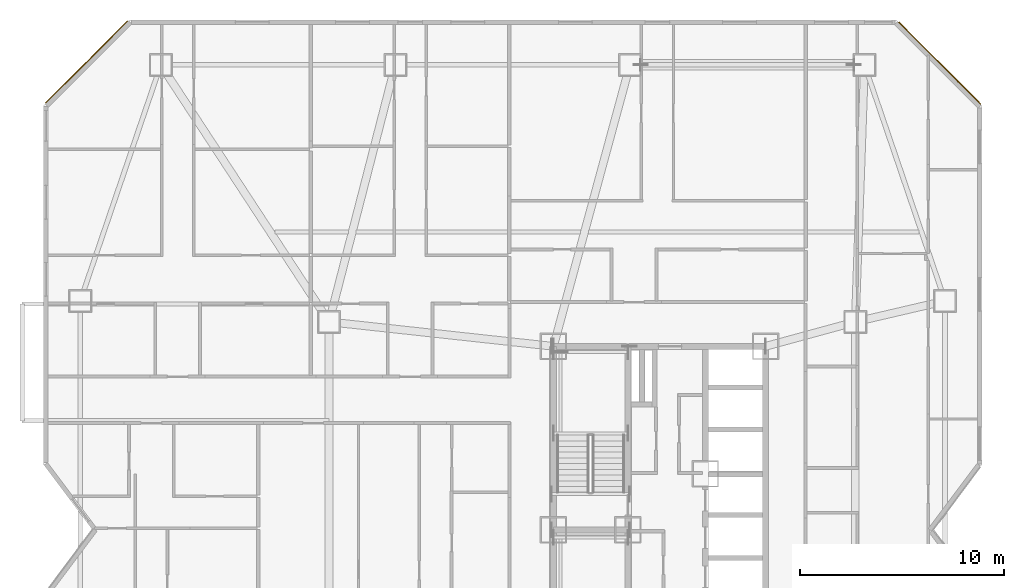
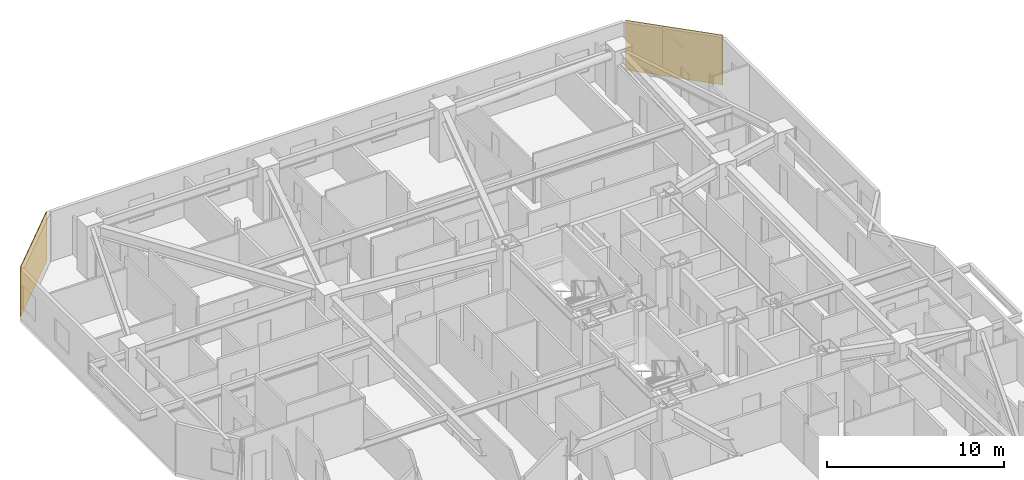
# One storey, part 17 of 17: 2 coverings.
"""IFC4 building model written with IfcOpenShell, lengths in metres."""

from ifc_helpers import new_model, si_unit, direction, frame, origin, origin_2d, place, context, subcontext, project, spatial, rectangle, extrude, material, layer, layer_set, type_object, element, save


model = new_model("IFC4")

# Units and contexts
model_context = context("Model", 3, precision=1e-05, world=origin(), true_north=direction((0.0, 1.0)))
body_context = subcontext(model_context, "Body", "Model", "MODEL_VIEW")
ifc_project = project(units=[si_unit("LENGTHUNIT", "METRE"), si_unit("AREAUNIT", "SQUARE_METRE"), si_unit("VOLUMEUNIT", "CUBIC_METRE"), si_unit("PLANEANGLEUNIT", "RADIAN"), si_unit("MASSUNIT", "GRAM", prefix="KILO")], contexts=[model_context])

# Site, building, storey
site_placement = place(None, origin())
site = spatial("IfcSite", under=ifc_project, at=site_placement, CompositionType="ELEMENT")
building_placement = place(site_placement, origin())
building = spatial("IfcBuilding", under=site, at=building_placement, Name="Khamvora Tower", CompositionType="ELEMENT")
storey_placement = place(building_placement, frame((0.0, 0.0, 73.449951171875)))
storey = spatial("IfcBuildingStorey", under=building, at=storey_placement, Name="L18", CompositionType="ELEMENT", Elevation=73.449951171875)

# Coverings
ifc_material = material(Name="Pale Anodised Aluminium Rainscreen Panel", Category="aluminium")
ifc_layer = layer(ifc_material, 0.044921875)
ifc_layer_set = layer_set([ifc_layer], Name="Pale Anodised Aluminium Rainscreen Panel")
covering_type = type_object("IfcCoveringType", Name="COV-CLD-ALU", PredefinedType="CLADDING", material=ifc_layer_set)
for number, where, z_axis, x_axis, name in (
    (1, (6.111083984375, 50.93701171875, 0.0), (0.0, 0.0, 1.0), (0.707106781187, 0.707106781187, 0.0), "L18 chamfer rainscreen cladding 06.1"),
    (2, (47.93701171875, 50.888916015625, 0.0), (0.0, 0.0, 1.0), (0.707106781187, -0.707106781187, 0.0), "L18 chamfer rainscreen cladding 08.1"),
):
    element("IfcCovering", number, at=place(storey_placement, frame(where, z_axis=z_axis, x_axis=x_axis)), inside=storey, type_object=covering_type, Name=name, PredefinedType="CLADDING", context=body_context, shape_type="SweptSolid", body=[
        extrude(rectangle(XDim=5.680908203125, YDim=0.044921875, at=origin_2d()), origin(), (0.0, 0.0, 1.0), 3.429931640625),
    ])

save(model, "model.ifc")
